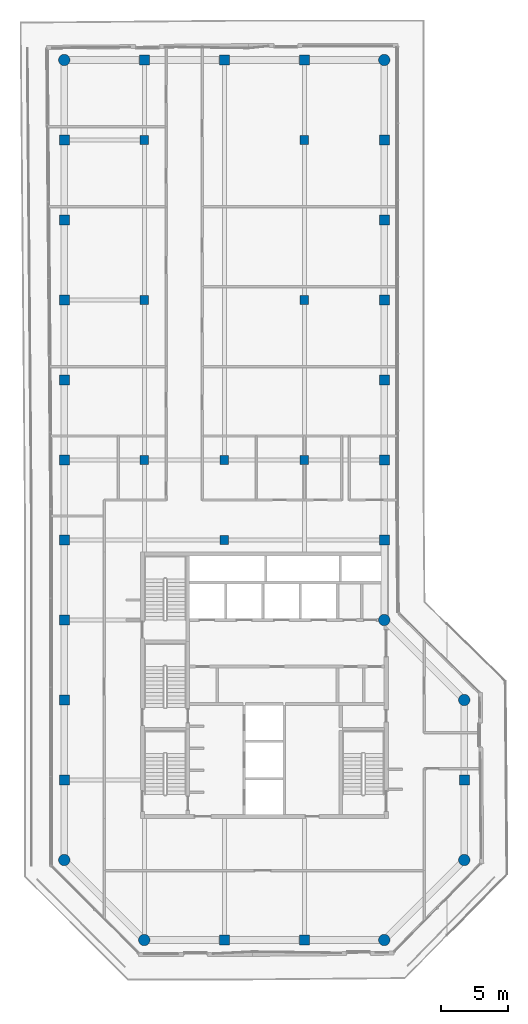
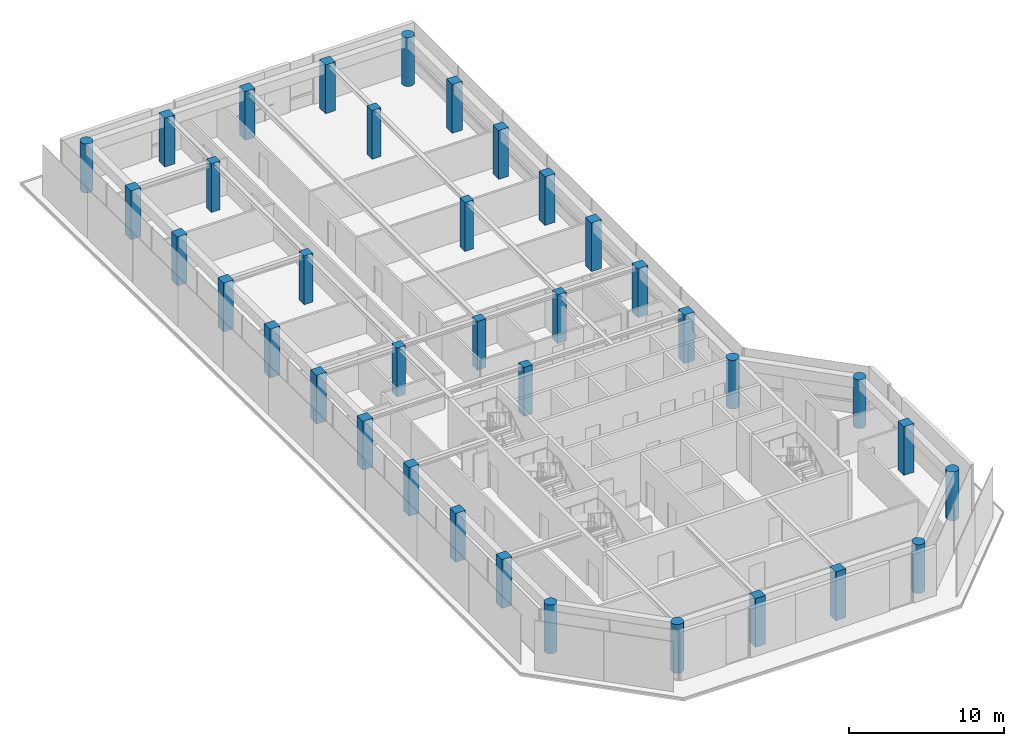
# One storey, part 1 of 18: 37 columns.
"""IFC4 building model written with IfcOpenShell, lengths in metres."""

from ifc_helpers import new_model, si_unit, direction, frame, origin, origin_2d, place, context, subcontext, project, spatial, rectangle, circle, extrude, material, material_profile, profile_set, type_object, element, save


model = new_model("IFC4")

# Units and contexts
model_context = context("Model", 3, precision=1e-05, world=origin(), true_north=direction((0.0, 1.0)))
body_context = subcontext(model_context, "Body", "Model", "MODEL_VIEW")
ifc_project = project(units=[si_unit("LENGTHUNIT", "METRE"), si_unit("AREAUNIT", "SQUARE_METRE"), si_unit("VOLUMEUNIT", "CUBIC_METRE"), si_unit("PLANEANGLEUNIT", "RADIAN"), si_unit("MASSUNIT", "GRAM", prefix="KILO")], contexts=[model_context])

# Site, building, storey
site_placement = place(None, origin())
site = spatial("IfcSite", under=ifc_project, at=site_placement, CompositionType="ELEMENT")
building_placement = place(site_placement, origin())
building = spatial("IfcBuilding", under=site, at=building_placement, Name="Welwitschia Terrace Campus", CompositionType="ELEMENT")
storey_placement = place(building_placement, frame((0.0, 0.0, 289.39990234375)))
storey = spatial("IfcBuildingStorey", under=building, at=storey_placement, Name="L64", CompositionType="ELEMENT", Elevation=289.39990234375)

# Columns
ifc_material_1 = material(Name="Concrete C50/60", Category="concrete")
ifc_material_profile_1 = material_profile(ifc_material_1, circle(Radius=0.425048828125, at=origin_2d()))
ifc_profile_set_1 = profile_set([ifc_material_profile_1], Name="Concrete C50/60")
column_type_1 = type_object("IfcColumnType", Name="Corner column 850 dia", PredefinedType="COLUMN", material=ifc_profile_set_1)
for number, where, z_axis, x_axis, name in (
    (1, (0.0, 2.0, 0.0), (0.0, 0.0, 1.0), (1.0, 0.0, 0.0), "Column C41"),
    (2, (0.0, 62.0, 0.0), (0.0, 0.0, 1.0), (1.0, 0.0, 0.0), "Column C41"),
    (3, (6.0, -4.0, 0.0), (0.0, 0.0, 1.0), (1.0, 0.0, 0.0), "Column C41"),
    (4, (24.0, -4.0, 0.0), (0.0, 0.0, 1.0), (1.0, 0.0, 0.0), "Column C41"),
    (5, (24.0, 20.0, 0.0), (0.0, 0.0, 1.0), (1.0, 0.0, 0.0), "Column C41"),
    (6, (24.0, 62.0, 0.0), (0.0, 0.0, 1.0), (1.0, 0.0, 0.0), "Column C41"),
    (7, (30.0, 2.0, 0.0), (0.0, 0.0, 1.0), (1.0, 0.0, 0.0), "Column C41"),
    (8, (30.0, 14.0, 0.0), (0.0, 0.0, 1.0), (1.0, 0.0, 0.0), "Column C41"),
):
    element("IfcColumn", number, at=place(storey_placement, frame(where, z_axis=z_axis, x_axis=x_axis)), inside=storey, type_object=column_type_1, Name=name, PredefinedType="COLUMN", context=body_context, shape_type="SweptSolid", body=[
        extrude(circle(Radius=0.425048828125, at=origin_2d()), origin(), (0.0, 0.0, 1.0), 3.85009765625),
    ])
ifc_material_2 = material(Name="Concrete C50/60", Category="concrete")
ifc_material_profile_2 = material_profile(ifc_material_2, rectangle(XDim=0.64990234375, YDim=0.64990234375, at=origin_2d()))
ifc_profile_set_2 = profile_set([ifc_material_profile_2], Name="Concrete C50/60")
column_type_2 = type_object("IfcColumnType", Name="Interior column 650x650", PredefinedType="COLUMN", material=ifc_profile_set_2)
for number, where, z_axis, x_axis, name in (
    (9, (6.0, 32.0, 0.0), (0.0, 0.0, 1.0), (1.0, 0.0, 0.0), "Column C43"),
    (10, (6.0, 44.0, 0.0), (0.0, 0.0, 1.0), (1.0, 0.0, 0.0), "Column C43"),
    (11, (6.0, 56.0, 0.0), (0.0, 0.0, 1.0), (1.0, 0.0, 0.0), "Column C43"),
    (12, (12.0, 26.0, 0.0), (0.0, 0.0, 1.0), (1.0, 0.0, 0.0), "Column C43"),
    (13, (12.0, 32.0, 0.0), (0.0, 0.0, 1.0), (1.0, 0.0, 0.0), "Column C43"),
    (14, (18.0, 32.0, 0.0), (0.0, 0.0, 1.0), (1.0, 0.0, 0.0), "Column C43"),
    (15, (18.0, 44.0, 0.0), (0.0, 0.0, 1.0), (1.0, 0.0, 0.0), "Column C43"),
    (16, (18.0, 56.0, 0.0), (0.0, 0.0, 1.0), (1.0, 0.0, 0.0), "Column C43"),
):
    element("IfcColumn", number, at=place(storey_placement, frame(where, z_axis=z_axis, x_axis=x_axis)), inside=storey, type_object=column_type_2, Name=name, PredefinedType="COLUMN", context=body_context, shape_type="SweptSolid", body=[
        extrude(rectangle(XDim=0.64990234375, YDim=0.64990234375, at=origin_2d()), origin(), (0.0, 0.0, 1.0), 3.85009765625),
    ])
ifc_material_3 = material(Name="Concrete C50/60", Category="concrete")
ifc_material_profile_3 = material_profile(ifc_material_3, rectangle(XDim=0.75, YDim=0.75, at=origin_2d()))
ifc_profile_set_3 = profile_set([ifc_material_profile_3], Name="Concrete C50/60")
column_type_3 = type_object("IfcColumnType", Name="Ring column 750x750", PredefinedType="COLUMN", material=ifc_profile_set_3)
for number, where, z_axis, x_axis, name in (
    (17, (0.0, 8.0, 0.0), (0.0, 0.0, 1.0), (1.0, 0.0, 0.0), "Column C42"),
    (18, (0.0, 14.0, 0.0), (0.0, 0.0, 1.0), (1.0, 0.0, 0.0), "Column C42"),
    (19, (0.0, 20.0, 0.0), (0.0, 0.0, 1.0), (1.0, 0.0, 0.0), "Column C42"),
    (20, (0.0, 26.0, 0.0), (0.0, 0.0, 1.0), (1.0, 0.0, 0.0), "Column C42"),
    (21, (0.0, 32.0, 0.0), (0.0, 0.0, 1.0), (1.0, 0.0, 0.0), "Column C42"),
    (22, (0.0, 38.0, 0.0), (0.0, 0.0, 1.0), (1.0, 0.0, 0.0), "Column C42"),
    (23, (0.0, 44.0, 0.0), (0.0, 0.0, 1.0), (1.0, 0.0, 0.0), "Column C42"),
    (24, (0.0, 50.0, 0.0), (0.0, 0.0, 1.0), (1.0, 0.0, 0.0), "Column C42"),
    (25, (0.0, 56.0, 0.0), (0.0, 0.0, 1.0), (1.0, 0.0, 0.0), "Column C42"),
    (26, (6.0, 62.0, 0.0), (0.0, 0.0, 1.0), (1.0, 0.0, 0.0), "Column C42"),
    (27, (12.0, -4.0, 0.0), (0.0, 0.0, 1.0), (1.0, 0.0, 0.0), "Column C42"),
    (28, (12.0, 62.0, 0.0), (0.0, 0.0, 1.0), (1.0, 0.0, 0.0), "Column C42"),
    (29, (18.0, -4.0, 0.0), (0.0, 0.0, 1.0), (1.0, 0.0, 0.0), "Column C42"),
    (30, (18.0, 62.0, 0.0), (0.0, 0.0, 1.0), (1.0, 0.0, 0.0), "Column C42"),
    (31, (24.0, 26.0, 0.0), (0.0, 0.0, 1.0), (1.0, 0.0, 0.0), "Column C42"),
    (32, (24.0, 32.0, 0.0), (0.0, 0.0, 1.0), (1.0, 0.0, 0.0), "Column C42"),
    (33, (24.0, 38.0, 0.0), (0.0, 0.0, 1.0), (1.0, 0.0, 0.0), "Column C42"),
    (34, (24.0, 44.0, 0.0), (0.0, 0.0, 1.0), (1.0, 0.0, 0.0), "Column C42"),
    (35, (24.0, 50.0, 0.0), (0.0, 0.0, 1.0), (1.0, 0.0, 0.0), "Column C42"),
    (36, (24.0, 56.0, 0.0), (0.0, 0.0, 1.0), (1.0, 0.0, 0.0), "Column C42"),
    (37, (30.0, 8.0, 0.0), (0.0, 0.0, 1.0), (1.0, 0.0, 0.0), "Column C42"),
):
    element("IfcColumn", number, at=place(storey_placement, frame(where, z_axis=z_axis, x_axis=x_axis)), inside=storey, type_object=column_type_3, Name=name, PredefinedType="COLUMN", context=body_context, shape_type="SweptSolid", body=[
        extrude(rectangle(XDim=0.75, YDim=0.75, at=origin_2d()), origin(), (0.0, 0.0, 1.0), 3.85009765625),
    ])

save(model, "model.ifc")
